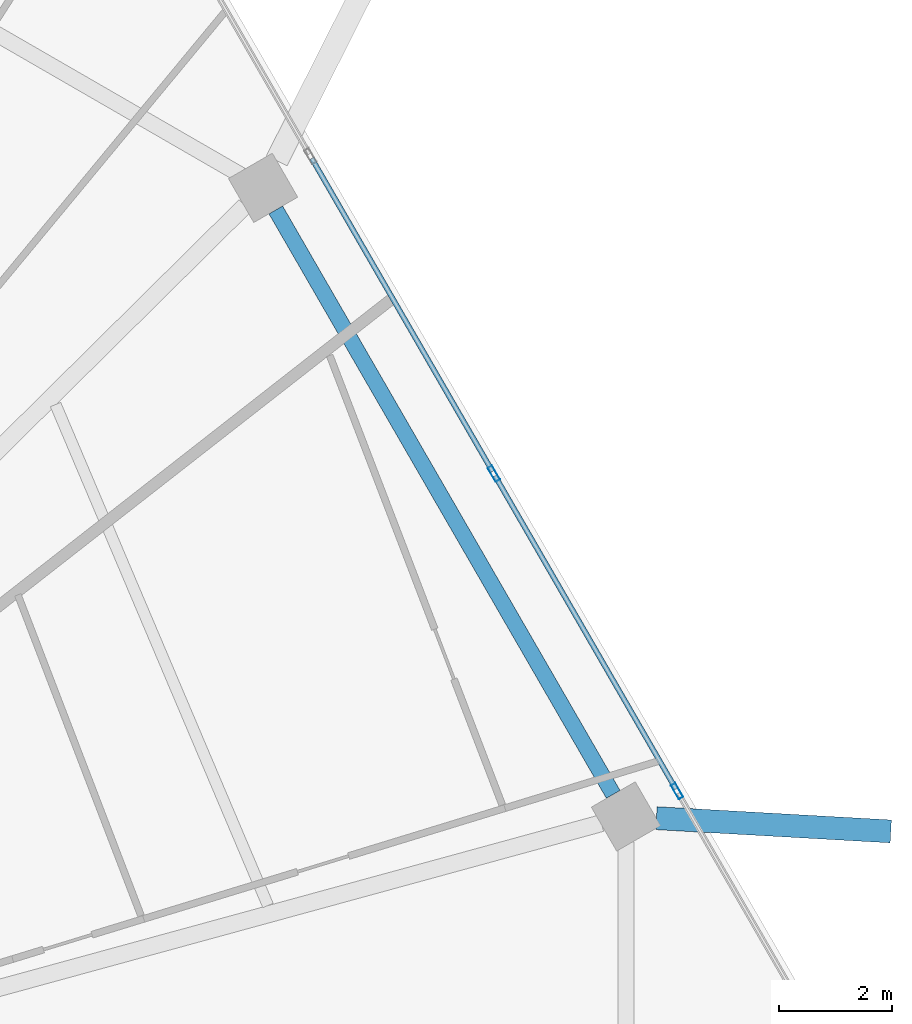
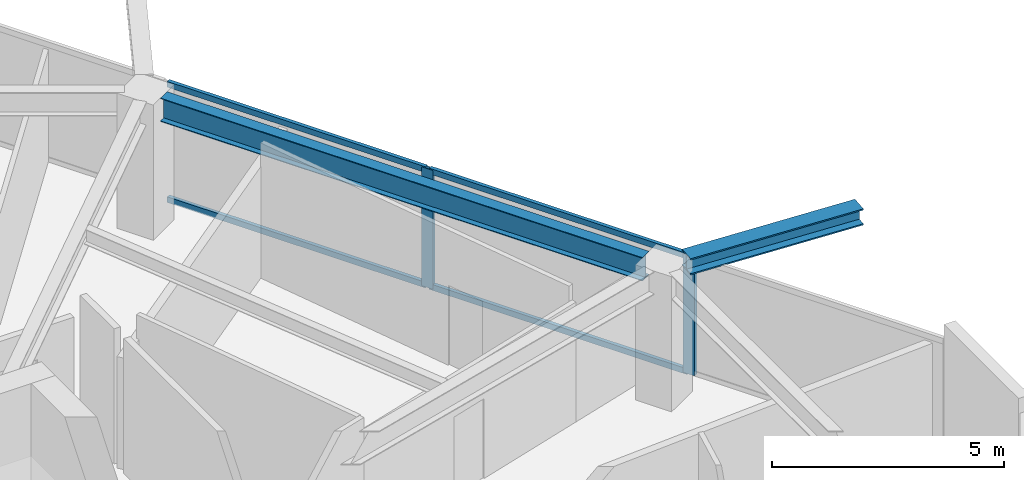
# One storey, part 16 of 26: 6 members, 2 beams, 1 element without a shape of its own.
"""IFC4 building model written with IfcOpenShell, lengths in metres."""

from ifc_helpers import new_model, si_unit, direction, frame, origin, origin_2d, place, context, subcontext, project, spatial, hollow_rectangle, i_section, extrude, material, material_profile, profile_set, type_object, element, aggregate, save


model = new_model("IFC4")

# Units and contexts
model_context = context("Model", 3, precision=1e-05, world=origin(), true_north=direction((0.0, 1.0)))
body_context = subcontext(model_context, "Body", "Model", "MODEL_VIEW")
ifc_project = project(units=[si_unit("LENGTHUNIT", "METRE"), si_unit("AREAUNIT", "SQUARE_METRE"), si_unit("VOLUMEUNIT", "CUBIC_METRE"), si_unit("PLANEANGLEUNIT", "RADIAN"), si_unit("MASSUNIT", "GRAM", prefix="KILO")], contexts=[model_context])

# Site, building, storey
site_placement = place(None, origin())
site = spatial("IfcSite", under=ifc_project, at=site_placement, CompositionType="ELEMENT")
building_placement = place(site_placement, origin())
building = spatial("IfcBuilding", under=site, at=building_placement, Name="Zuhravey Tower", CompositionType="ELEMENT")
storey_placement = place(building_placement, frame((0.0, 0.0, 242.60009765625)))
storey = spatial("IfcBuildingStorey", under=building, at=storey_placement, Name="L61", CompositionType="ELEMENT", Elevation=242.60009765625)

# Curtain wall, members
ifc_material_1 = material(Name="Thermally broken anodised aluminium", Category="aluminium")
curtain_wall_type = type_object("IfcCurtainWallType", Name="Zone 3-4 High-Rise Curtain Wall CW4", PredefinedType="NOTDEFINED", material=ifc_material_1)
curtain_wall_placement = place(storey_placement, origin())
curtain_wall = element("IfcCurtainWall", 1, at=curtain_wall_placement, inside=storey, type_object=curtain_wall_type, Name="L61 CW4 CW-L61-F1-1", PredefinedType="NOTDEFINED")
ifc_material_2 = material(Name="Anodised aluminium", Category="aluminium")
ifc_material_profile_1 = material_profile(ifc_material_2, hollow_rectangle(XDim=0.090087890625, YDim=0.284912109375, WallThickness=0.0048828125, at=origin_2d()), Name="ALU-RHS-90x285x5")
ifc_profile_set_1 = profile_set([ifc_material_profile_1], Name="Anodised aluminium")
member_type_1 = type_object("IfcMemberType", Name="Curtain-Wall Mullion 90x180", PredefinedType="MULLION", material=ifc_profile_set_1)
member_1_placement = place(storey_placement, frame((58.138671875, 44.78173828125, 0.0), z_axis=(0.0, 0.0, 1.0), x_axis=(0.866024851021, 0.500000957414, 0.0)))
member_1 = element("IfcMember", 2, at=member_1_placement, type_object=member_type_1, Name="CW4 mullion 3", PredefinedType="MULLION", context=body_context, shape_type="SweptSolid", body=[
    extrude(hollow_rectangle(XDim=0.090087890625, YDim=0.284912109375, WallThickness=0.0048828125, at=origin_2d()), origin(), (0.0, 0.0, 1.0), 3.121826171875),
])
member_2_placement = place(storey_placement, frame((61.391845703125, 39.147216796875, 0.0), z_axis=(0.0, 0.0, 1.0), x_axis=(0.866024851021, 0.500000957414, 0.0)))
member_2 = element("IfcMember", 3, at=member_2_placement, type_object=member_type_1, Name="CW4 mullion 4", PredefinedType="MULLION", context=body_context, shape_type="SweptSolid", body=[
    extrude(hollow_rectangle(XDim=0.090087890625, YDim=0.284912109375, WallThickness=0.0048828125, at=origin_2d()), origin(), (0.0, 0.0, 1.0), 3.121826171875),
])
ifc_material_profile_2 = material_profile(ifc_material_2, hollow_rectangle(XDim=0.090087890625, YDim=0.14990234375, WallThickness=0.0048828125, at=origin_2d()), Name="ALU-RHS-90x150x5")
ifc_profile_set_2 = profile_set([ifc_material_profile_2], Name="Anodised aluminium")
member_type_2 = type_object("IfcMemberType", Name="Curtain-Wall Transom 90x150", PredefinedType="USERDEFINED", material=ifc_profile_set_2)
member_3_placement = place(storey_placement, frame((54.907958984375, 50.37744140625, 0.044921875), z_axis=(0.500014493347, -0.866017035885, 0.0), x_axis=(0.866017035885, 0.500014493347, 0.0)))
member_3 = element("IfcMember", 4, at=member_3_placement, type_object=member_type_2, Name="CW4 transom 2.1", ObjectType="TRANSOM", PredefinedType="USERDEFINED", context=body_context, shape_type="SweptSolid", body=[
    extrude(hollow_rectangle(XDim=0.090087890625, YDim=0.14990234375, WallThickness=0.0048828125, at=origin_2d()), origin(), (0.0, 0.0, 1.0), 6.416259765625),
])
member_4_placement = place(storey_placement, frame((54.907958984375, 50.37744140625, 3.076904296875), z_axis=(0.500014493347, -0.866017035885, 0.0), x_axis=(0.866017035885, 0.500014493347, 0.0)))
member_4 = element("IfcMember", 5, at=member_4_placement, type_object=member_type_2, Name="CW4 transom 2.2", ObjectType="TRANSOM", PredefinedType="USERDEFINED", context=body_context, shape_type="SweptSolid", body=[
    extrude(hollow_rectangle(XDim=0.090087890625, YDim=0.14990234375, WallThickness=0.0048828125, at=origin_2d()), origin(), (0.0, 0.0, 1.0), 6.416259765625),
])
member_5_placement = place(storey_placement, frame((58.1611328125, 44.742919921875, 0.044921875), z_axis=(0.499998017366, -0.866026548456, 0.0), x_axis=(0.866026548456, 0.499998017366, 0.0)))
member_5 = element("IfcMember", 6, at=member_5_placement, type_object=member_type_2, Name="CW4 transom 3.1", ObjectType="TRANSOM", PredefinedType="USERDEFINED", context=body_context, shape_type="SweptSolid", body=[
    extrude(hollow_rectangle(XDim=0.090087890625, YDim=0.14990234375, WallThickness=0.0048828125, at=origin_2d()), origin(), (0.0, 0.0, 1.0), 6.41650390625),
])
member_6_placement = place(storey_placement, frame((58.1611328125, 44.742919921875, 3.076904296875), z_axis=(0.499998017366, -0.866026548456, 0.0), x_axis=(0.866026548456, 0.499998017366, 0.0)))
member_6 = element("IfcMember", 7, at=member_6_placement, type_object=member_type_2, Name="CW4 transom 3.2", ObjectType="TRANSOM", PredefinedType="USERDEFINED", context=body_context, shape_type="SweptSolid", body=[
    extrude(hollow_rectangle(XDim=0.090087890625, YDim=0.14990234375, WallThickness=0.0048828125, at=origin_2d()), origin(), (0.0, 0.0, 1.0), 6.41650390625),
])
aggregate(curtain_wall, [member_1, member_2, member_3, member_4, member_5, member_6])

# Beams
ifc_material_3 = material(Name="Steel SM460", Category="steel")
ifc_material_profile_3 = material_profile(ifc_material_3, i_section(OverallWidth=0.406982421875, OverallDepth=0.427978515625, WebThickness=0.02001953125, FlangeThickness=0.034912109375, at=origin_2d()), Name="H-428x407x20x35")
ifc_profile_set_3 = profile_set([ifc_material_profile_3], Name="Steel SM460")
beam_type_1 = type_object("IfcBeamType", Name="Exoskeleton Node Tie Beam H428x407", PredefinedType="BEAM", material=ifc_profile_set_3)
beam_1_placement = place(storey_placement, frame((61.025634765625, 38.668212890625, 3.3359375), z_axis=(0.998409075737, -0.056385436824, 0.0), x_axis=(0.056385436824, 0.998409075737, 0.0)))
element("IfcBeam", 8, at=beam_1_placement, inside=storey, type_object=beam_type_1, Name="L61 Exoskeleton Node Tie NT1-01", PredefinedType="BEAM", context=body_context, shape_type="SweptSolid", body=[
    extrude(i_section(OverallWidth=0.406982421875, OverallDepth=0.427978515625, WebThickness=0.02001953125, FlangeThickness=0.034912109375, at=origin_2d()), origin(), (0.0, 0.0, 1.0), 4.165283203125),
])
ifc_material_4 = material(Name="Steel SM355", Category="steel")
ifc_material_profile_4 = material_profile(ifc_material_4, i_section(OverallWidth=0.280029296875, OverallDepth=0.6201171875, WebThickness=0.011962890625, FlangeThickness=0.02001953125, at=origin_2d()), Name="H-620x280x12x20")
ifc_profile_set_4 = profile_set([ifc_material_profile_4], Name="Steel SM355")
beam_type_2 = type_object("IfcBeamType", Name="Perimeter Ring Beam H620x280", PredefinedType="BEAM", material=ifc_profile_set_4)
beam_2_placement = place(storey_placement, frame((60.258056640625, 39.09130859375, 3.239990234375), z_axis=(-0.500017744717, 0.866015158625, 0.0), x_axis=(-0.866015158625, -0.500017744717, 0.0)))
element("IfcBeam", 9, at=beam_2_placement, inside=storey, type_object=beam_type_2, Name="L61 PB3 BM-L61-PB-01", PredefinedType="BEAM", context=body_context, shape_type="SweptSolid", body=[
    extrude(i_section(OverallWidth=0.280029296875, OverallDepth=0.6201171875, WebThickness=0.011962890625, FlangeThickness=0.02001953125, at=origin_2d()), origin(), (0.0, 0.0, 1.0), 11.9755859375),
])

save(model, "model.ifc")
